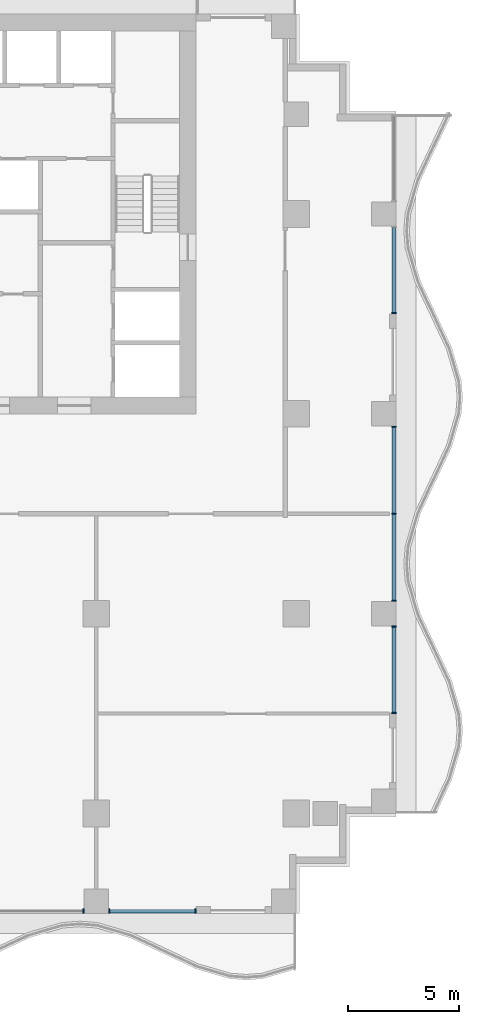
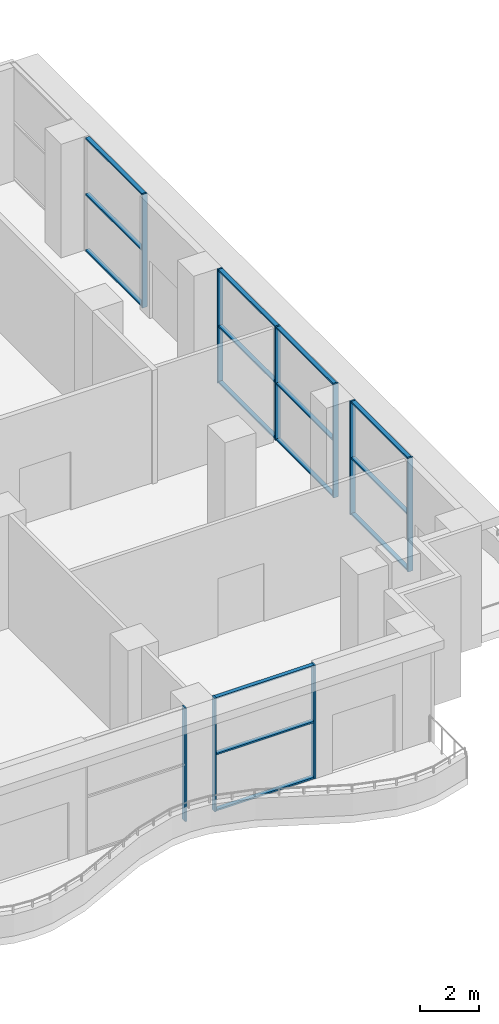
# One storey, part 4 of 16: 24 members, 5 elements without a shape of their own.
"""IFC4 building model written with IfcOpenShell, lengths in metres."""

from ifc_helpers import new_model, si_unit, direction, frame, origin, origin_2d, place, context, subcontext, project, spatial, rectangle, extrude, material, material_profile, profile_set, type_object, element, aggregate, save


model = new_model("IFC4")

# Units and contexts
model_context = context("Model", 3, precision=1e-05, world=origin(), true_north=direction((0.0, 1.0)))
body_context = subcontext(model_context, "Body", "Model", "MODEL_VIEW")
ifc_project = project(units=[si_unit("LENGTHUNIT", "METRE"), si_unit("AREAUNIT", "SQUARE_METRE"), si_unit("VOLUMEUNIT", "CUBIC_METRE"), si_unit("PLANEANGLEUNIT", "RADIAN"), si_unit("MASSUNIT", "GRAM", prefix="KILO")], contexts=[model_context])

# Site, building, storey
site_placement = place(None, origin())
site = spatial("IfcSite", under=ifc_project, at=site_placement, CompositionType="ELEMENT")
building_placement = place(site_placement, origin())
building = spatial("IfcBuilding", under=site, at=building_placement, Name="Orbiselva Terraces", CompositionType="ELEMENT")
storey_placement = place(building_placement, frame((0.0, 0.0, 174.4)))
storey = spatial("IfcBuildingStorey", under=building, at=storey_placement, Name="L44", CompositionType="ELEMENT", Elevation=174.4)

# Curtain wall, member
ifc_material_1 = material(Name="Clear low-e glazing in aluminium frame", Category="aluminium")
curtain_wall_type = type_object("IfcCurtainWallType", Name="ENV-CW-SKY", PredefinedType="NOTDEFINED", material=ifc_material_1)
curtain_wall_1_placement = place(storey_placement, origin())
curtain_wall_1 = element("IfcCurtainWall", 1, at=curtain_wall_1_placement, inside=storey, type_object=curtain_wall_type, Name="Curtain wall L44 S", PredefinedType="NOTDEFINED")
ifc_material_2 = material(Name="Anodised aluminium", Category="aluminium")
ifc_material_profile_1 = material_profile(ifc_material_2, rectangle(XDim=0.2, YDim=0.065, at=origin_2d()), Name="AL 65x200")
ifc_profile_set_1 = profile_set([ifc_material_profile_1], Name="Anodised aluminium")
member_type_1 = type_object("IfcMemberType", Name="ENV-CW-SKY-MULLION-65x200", PredefinedType="MULLION", material=ifc_profile_set_1)
member_1_placement = place(storey_placement, frame((8.4175, -17.9, 0.0), z_axis=(0.0, 0.0, 1.0), x_axis=(0.0, 1.0, 0.0)))
member_1 = element("IfcMember", 2, at=member_1_placement, type_object=member_type_1, Name="CW3 mullion 2", PredefinedType="MULLION", context=body_context, shape_type="SweptSolid", body=[
    extrude(rectangle(XDim=0.2, YDim=0.065, at=origin_2d()), origin(), (0.0, 0.0, 1.0), 4.7),
])
aggregate(curtain_wall_1, [member_1])

# Curtain wall, members
curtain_wall_2_placement = place(storey_placement, origin())
curtain_wall_2 = element("IfcCurtainWall", 3, at=curtain_wall_2_placement, inside=storey, type_object=curtain_wall_type, Name="Curtain wall L44 S", PredefinedType="NOTDEFINED")
member_2_placement = place(storey_placement, frame((9.5825, -17.9, 0.0), z_axis=(0.0, 0.0, 1.0), x_axis=(0.0, 1.0, 0.0)))
member_2 = element("IfcMember", 4, at=member_2_placement, type_object=member_type_1, Name="CW3 mullion 1", PredefinedType="MULLION", context=body_context, shape_type="SweptSolid", body=[
    extrude(rectangle(XDim=0.2, YDim=0.065, at=origin_2d()), origin(), (0.0, 0.0, 1.0), 4.7),
])
member_3_placement = place(storey_placement, frame((13.4675, -17.9, 0.0), z_axis=(0.0, 0.0, 1.0), x_axis=(0.0, 1.0, 0.0)))
member_3 = element("IfcMember", 5, at=member_3_placement, type_object=member_type_1, Name="CW3 mullion 2", PredefinedType="MULLION", context=body_context, shape_type="SweptSolid", body=[
    extrude(rectangle(XDim=0.2, YDim=0.065, at=origin_2d()), origin(), (0.0, 0.0, 1.0), 4.7),
])

curtain_wall_3_placement = place(storey_placement, origin())
curtain_wall_3 = element("IfcCurtainWall", 6, at=curtain_wall_3_placement, inside=storey, type_object=curtain_wall_type, Name="Curtain wall L44 E", PredefinedType="NOTDEFINED")
member_4_placement = place(storey_placement, frame((22.4, -8.9675, 0.0), z_axis=(0.0, 0.0, 1.0), x_axis=(-1.0, 0.0, 0.0)))
member_4 = element("IfcMember", 7, at=member_4_placement, type_object=member_type_1, Name="CW3 mullion 1", PredefinedType="MULLION", context=body_context, shape_type="SweptSolid", body=[
    extrude(rectangle(XDim=0.2, YDim=0.065, at=origin_2d()), origin(), (0.0, 0.0, 1.0), 4.7),
])
member_5_placement = place(storey_placement, frame((22.4, -5.0825, 0.0), z_axis=(0.0, 0.0, 1.0), x_axis=(-1.0, 0.0, 0.0)))
member_5 = element("IfcMember", 8, at=member_5_placement, type_object=member_type_1, Name="CW3 mullion 2", PredefinedType="MULLION", context=body_context, shape_type="SweptSolid", body=[
    extrude(rectangle(XDim=0.2, YDim=0.065, at=origin_2d()), origin(), (0.0, 0.0, 1.0), 4.7),
])

curtain_wall_4_placement = place(storey_placement, origin())
curtain_wall_4 = element("IfcCurtainWall", 9, at=curtain_wall_4_placement, inside=storey, type_object=curtain_wall_type, Name="Curtain wall L44 E", PredefinedType="NOTDEFINED")
member_6_placement = place(storey_placement, frame((22.4, -3.9175, 0.0), z_axis=(0.0, 0.0, 1.0), x_axis=(-1.0, 0.0, 0.0)))
member_6 = element("IfcMember", 10, at=member_6_placement, type_object=member_type_1, Name="CW3 mullion 1", PredefinedType="MULLION", context=body_context, shape_type="SweptSolid", body=[
    extrude(rectangle(XDim=0.2, YDim=0.065, at=origin_2d()), origin(), (0.0, 0.0, 1.0), 4.7),
])
member_7_placement = place(storey_placement, frame((22.4, 0.0, 0.0), z_axis=(0.0, 0.0, 1.0), x_axis=(-1.0, 0.0, 0.0)))
member_7 = element("IfcMember", 11, at=member_7_placement, type_object=member_type_1, Name="CW3 mullion 2", PredefinedType="MULLION", context=body_context, shape_type="SweptSolid", body=[
    extrude(rectangle(XDim=0.2, YDim=0.065, at=origin_2d()), origin(), (0.0, 0.0, 1.0), 4.7),
])
member_8_placement = place(storey_placement, frame((22.4, 3.9175, 0.0), z_axis=(0.0, 0.0, 1.0), x_axis=(-1.0, 0.0, 0.0)))
member_8 = element("IfcMember", 12, at=member_8_placement, type_object=member_type_1, Name="CW3 mullion 3", PredefinedType="MULLION", context=body_context, shape_type="SweptSolid", body=[
    extrude(rectangle(XDim=0.2, YDim=0.065, at=origin_2d()), origin(), (0.0, 0.0, 1.0), 4.7),
])

# Curtain wall, member
curtain_wall_5_placement = place(storey_placement, origin())
curtain_wall_5 = element("IfcCurtainWall", 13, at=curtain_wall_5_placement, inside=storey, type_object=curtain_wall_type, Name="Curtain wall L44 E", PredefinedType="NOTDEFINED")
member_9_placement = place(storey_placement, frame((22.4, 9.0325, 0.0), z_axis=(0.0, 0.0, 1.0), x_axis=(-1.0, 0.0, 0.0)))
member_9 = element("IfcMember", 14, at=member_9_placement, type_object=member_type_1, Name="CW3 mullion 1", PredefinedType="MULLION", context=body_context, shape_type="SweptSolid", body=[
    extrude(rectangle(XDim=0.2, YDim=0.065, at=origin_2d()), origin(), (0.0, 0.0, 1.0), 4.7),
])

# Member
ifc_material_profile_2 = material_profile(ifc_material_2, rectangle(XDim=0.16, YDim=0.065, at=origin_2d()), Name="AL 65x160")
ifc_profile_set_2 = profile_set([ifc_material_profile_2], Name="Anodised aluminium")
member_type_2 = type_object("IfcMemberType", Name="ENV-CW-SKY-TRANSOM-65x160", PredefinedType="USERDEFINED", material=ifc_profile_set_2)
member_10_placement = place(storey_placement, frame((9.615, -17.9, 0.0325), z_axis=(1.0, 0.0, 0.0), x_axis=(0.0, 1.0, 0.0)))
member_10 = element("IfcMember", 15, at=member_10_placement, type_object=member_type_2, Name="CW3 transom 1.1", ObjectType="TRANSOM", PredefinedType="USERDEFINED", context=body_context, shape_type="SweptSolid", body=[
    extrude(rectangle(XDim=0.16, YDim=0.065, at=origin_2d()), origin(), (0.0, 0.0, 1.0), 3.82),
])

member_11_placement = place(storey_placement, frame((9.615, -17.9, 2.35), z_axis=(1.0, 0.0, 0.0), x_axis=(0.0, 1.0, 0.0)))
member_11 = element("IfcMember", 16, at=member_11_placement, type_object=member_type_2, Name="CW3 transom 1.2", ObjectType="TRANSOM", PredefinedType="USERDEFINED", context=body_context, shape_type="SweptSolid", body=[
    extrude(rectangle(XDim=0.16, YDim=0.065, at=origin_2d()), origin(), (0.0, 0.0, 1.0), 3.82),
])

member_12_placement = place(storey_placement, frame((9.615, -17.9, 4.6675), z_axis=(1.0, 0.0, 0.0), x_axis=(0.0, 1.0, 0.0)))
member_12 = element("IfcMember", 17, at=member_12_placement, type_object=member_type_2, Name="CW3 transom 1.3", ObjectType="TRANSOM", PredefinedType="USERDEFINED", context=body_context, shape_type="SweptSolid", body=[
    extrude(rectangle(XDim=0.16, YDim=0.065, at=origin_2d()), origin(), (0.0, 0.0, 1.0), 3.82),
])

aggregate(curtain_wall_2, [member_2, member_3, member_10, member_11, member_12])

member_13_placement = place(storey_placement, frame((22.4, -8.935, 0.0325), z_axis=(0.0, 1.0, 0.0), x_axis=(-1.0, 0.0, 0.0)))
member_13 = element("IfcMember", 18, at=member_13_placement, type_object=member_type_2, Name="CW3 transom 1.1", ObjectType="TRANSOM", PredefinedType="USERDEFINED", context=body_context, shape_type="SweptSolid", body=[
    extrude(rectangle(XDim=0.16, YDim=0.065, at=origin_2d()), origin(), (0.0, 0.0, 1.0), 3.82),
])

member_14_placement = place(storey_placement, frame((22.4, -8.935, 2.35), z_axis=(0.0, 1.0, 0.0), x_axis=(-1.0, 0.0, 0.0)))
member_14 = element("IfcMember", 19, at=member_14_placement, type_object=member_type_2, Name="CW3 transom 1.2", ObjectType="TRANSOM", PredefinedType="USERDEFINED", context=body_context, shape_type="SweptSolid", body=[
    extrude(rectangle(XDim=0.16, YDim=0.065, at=origin_2d()), origin(), (0.0, 0.0, 1.0), 3.82),
])

member_15_placement = place(storey_placement, frame((22.4, -8.935, 4.6675), z_axis=(0.0, 1.0, 0.0), x_axis=(-1.0, 0.0, 0.0)))
member_15 = element("IfcMember", 20, at=member_15_placement, type_object=member_type_2, Name="CW3 transom 1.3", ObjectType="TRANSOM", PredefinedType="USERDEFINED", context=body_context, shape_type="SweptSolid", body=[
    extrude(rectangle(XDim=0.16, YDim=0.065, at=origin_2d()), origin(), (0.0, 0.0, 1.0), 3.82),
])

aggregate(curtain_wall_3, [member_4, member_5, member_13, member_14, member_15])

member_16_placement = place(storey_placement, frame((22.4, -3.885, 0.0325), z_axis=(0.0, 1.0, 0.0), x_axis=(-1.0, 0.0, 0.0)))
member_16 = element("IfcMember", 21, at=member_16_placement, type_object=member_type_2, Name="CW3 transom 1.1", ObjectType="TRANSOM", PredefinedType="USERDEFINED", context=body_context, shape_type="SweptSolid", body=[
    extrude(rectangle(XDim=0.16, YDim=0.065, at=origin_2d()), origin(), (0.0, 0.0, 1.0), 3.8525),
])

member_17_placement = place(storey_placement, frame((22.4, -3.885, 2.35), z_axis=(0.0, 1.0, 0.0), x_axis=(-1.0, 0.0, 0.0)))
member_17 = element("IfcMember", 22, at=member_17_placement, type_object=member_type_2, Name="CW3 transom 1.2", ObjectType="TRANSOM", PredefinedType="USERDEFINED", context=body_context, shape_type="SweptSolid", body=[
    extrude(rectangle(XDim=0.16, YDim=0.065, at=origin_2d()), origin(), (0.0, 0.0, 1.0), 3.8525),
])

member_18_placement = place(storey_placement, frame((22.4, -3.885, 4.6675), z_axis=(0.0, 1.0, 0.0), x_axis=(-1.0, 0.0, 0.0)))
member_18 = element("IfcMember", 23, at=member_18_placement, type_object=member_type_2, Name="CW3 transom 1.3", ObjectType="TRANSOM", PredefinedType="USERDEFINED", context=body_context, shape_type="SweptSolid", body=[
    extrude(rectangle(XDim=0.16, YDim=0.065, at=origin_2d()), origin(), (0.0, 0.0, 1.0), 3.8525),
])

member_19_placement = place(storey_placement, frame((22.4, 0.0325, 0.0325), z_axis=(0.0, 1.0, 0.0), x_axis=(-1.0, 0.0, 0.0)))
member_19 = element("IfcMember", 24, at=member_19_placement, type_object=member_type_2, Name="CW3 transom 2.1", ObjectType="TRANSOM", PredefinedType="USERDEFINED", context=body_context, shape_type="SweptSolid", body=[
    extrude(rectangle(XDim=0.16, YDim=0.065, at=origin_2d()), origin(), (0.0, 0.0, 1.0), 3.8525),
])

member_20_placement = place(storey_placement, frame((22.4, 0.0325, 2.35), z_axis=(0.0, 1.0, 0.0), x_axis=(-1.0, 0.0, 0.0)))
member_20 = element("IfcMember", 25, at=member_20_placement, type_object=member_type_2, Name="CW3 transom 2.2", ObjectType="TRANSOM", PredefinedType="USERDEFINED", context=body_context, shape_type="SweptSolid", body=[
    extrude(rectangle(XDim=0.16, YDim=0.065, at=origin_2d()), origin(), (0.0, 0.0, 1.0), 3.8525),
])

member_21_placement = place(storey_placement, frame((22.4, 0.0325, 4.6675), z_axis=(0.0, 1.0, 0.0), x_axis=(-1.0, 0.0, 0.0)))
member_21 = element("IfcMember", 26, at=member_21_placement, type_object=member_type_2, Name="CW3 transom 2.3", ObjectType="TRANSOM", PredefinedType="USERDEFINED", context=body_context, shape_type="SweptSolid", body=[
    extrude(rectangle(XDim=0.16, YDim=0.065, at=origin_2d()), origin(), (0.0, 0.0, 1.0), 3.8525),
])

aggregate(curtain_wall_4, [member_6, member_7, member_8, member_16, member_17, member_18, member_19, member_20, member_21])

member_22_placement = place(storey_placement, frame((22.4, 9.065, 0.0325), z_axis=(0.0, 1.0, 0.0), x_axis=(-1.0, 0.0, 0.0)))
member_22 = element("IfcMember", 27, at=member_22_placement, type_object=member_type_2, Name="CW3 transom 1.1", ObjectType="TRANSOM", PredefinedType="USERDEFINED", context=body_context, shape_type="SweptSolid", body=[
    extrude(rectangle(XDim=0.16, YDim=0.065, at=origin_2d()), origin(), (0.0, 0.0, 1.0), 3.82),
])

member_23_placement = place(storey_placement, frame((22.4, 9.065, 2.35), z_axis=(0.0, 1.0, 0.0), x_axis=(-1.0, 0.0, 0.0)))
member_23 = element("IfcMember", 28, at=member_23_placement, type_object=member_type_2, Name="CW3 transom 1.2", ObjectType="TRANSOM", PredefinedType="USERDEFINED", context=body_context, shape_type="SweptSolid", body=[
    extrude(rectangle(XDim=0.16, YDim=0.065, at=origin_2d()), origin(), (0.0, 0.0, 1.0), 3.82),
])

member_24_placement = place(storey_placement, frame((22.4, 9.065, 4.6675), z_axis=(0.0, 1.0, 0.0), x_axis=(-1.0, 0.0, 0.0)))
member_24 = element("IfcMember", 29, at=member_24_placement, type_object=member_type_2, Name="CW3 transom 1.3", ObjectType="TRANSOM", PredefinedType="USERDEFINED", context=body_context, shape_type="SweptSolid", body=[
    extrude(rectangle(XDim=0.16, YDim=0.065, at=origin_2d()), origin(), (0.0, 0.0, 1.0), 3.82),
])

aggregate(curtain_wall_5, [member_9, member_22, member_23, member_24])

save(model, "model.ifc")
